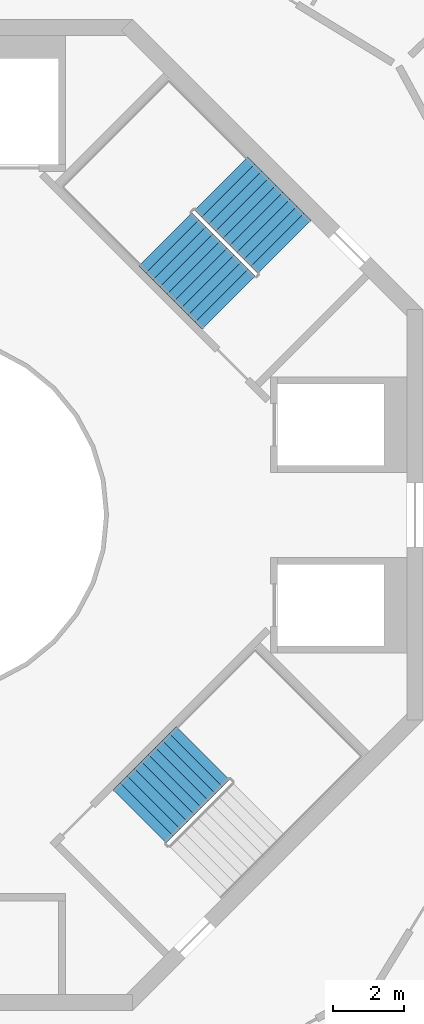
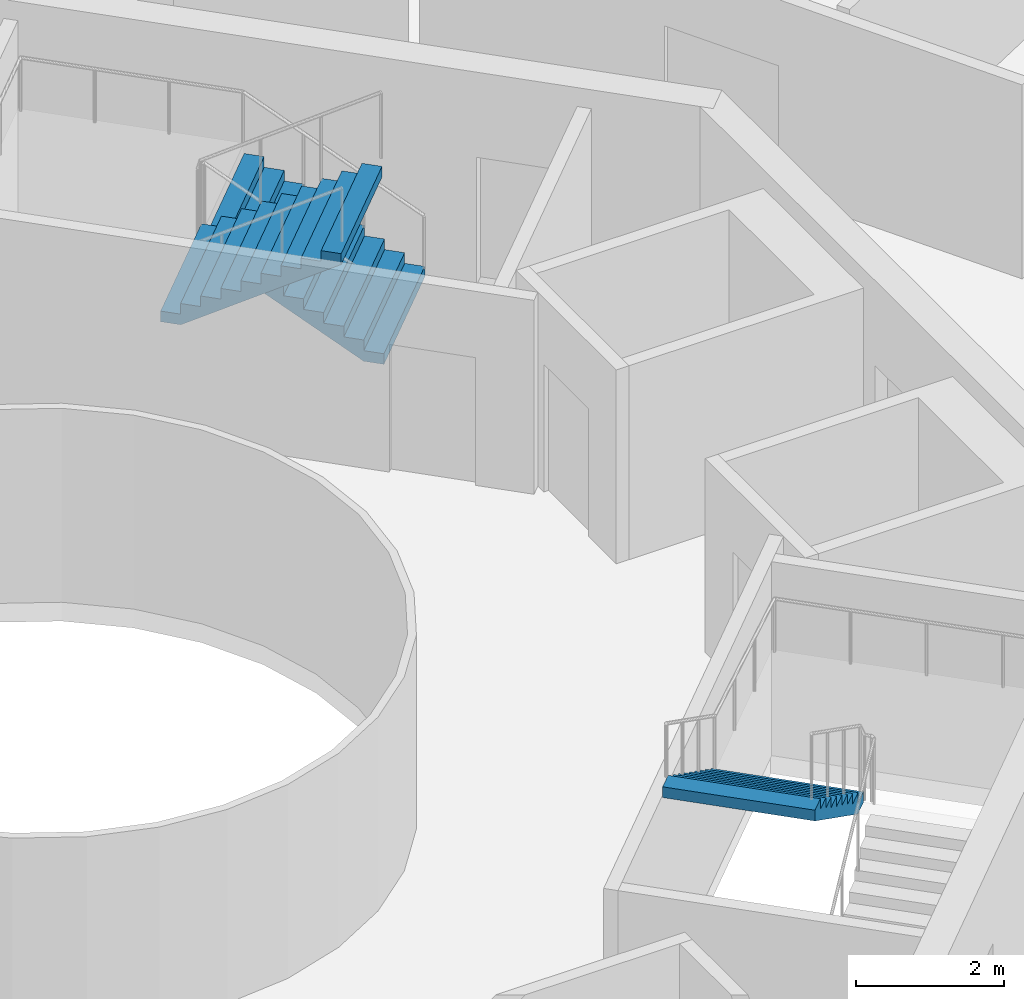
# One storey, part 23 of 24: 3 stair flights, 2 elements without a shape of their own.
"""IFC4 building model written with IfcOpenShell, lengths in metres."""

from ifc_helpers import new_model, si_unit, direction, frame, origin, place, context, subcontext, project, spatial, triangles, material, type_object, element, aggregate, save


model = new_model("IFC4")

# Units and contexts
model_context = context("Model", 3, precision=1e-05, world=origin(), true_north=direction((0.0, 1.0)))
body_context = subcontext(model_context, "Body", "Model", "MODEL_VIEW")
ifc_project = project(units=[si_unit("LENGTHUNIT", "METRE"), si_unit("AREAUNIT", "SQUARE_METRE"), si_unit("VOLUMEUNIT", "CUBIC_METRE"), si_unit("PLANEANGLEUNIT", "RADIAN"), si_unit("MASSUNIT", "GRAM", prefix="KILO")], contexts=[model_context])

# Site, building, storey
site_placement = place(None, origin())
site = spatial("IfcSite", under=ifc_project, at=site_placement, CompositionType="ELEMENT")
building_placement = place(site_placement, origin())
building = spatial("IfcBuilding", under=site, at=building_placement, Name="Verdalira Terraces Hotel", CompositionType="ELEMENT")
storey_placement = place(building_placement, frame((0.0, 0.0, 274.0)))
storey = spatial("IfcBuildingStorey", under=building, at=storey_placement, Name="L67", CompositionType="ELEMENT", Elevation=274.0)

# Stair, stair flights
ifc_material_1 = material(Name="Concrete C40", Category="concrete")
stair_type = type_object("IfcStairType", Name="Core stair 20 risers 2125 mm wide", PredefinedType="HALF_TURN_STAIR", material=ifc_material_1)
stair_1_placement = place(storey_placement, origin())
stair_1 = element("IfcStair", 1, at=stair_1_placement, inside=storey, type_object=stair_type, Name="L67 Exit stair ST1", PredefinedType="HALF_TURN_STAIR")
ifc_material_2 = material(Name="Concrete C40", Category="concrete")
stair_flight_type = type_object("IfcStairFlightType", Name="Core stair flight 20 risers 2125 mm wide", PredefinedType="STRAIGHT", material=ifc_material_2)
stair_flight_1_placement = place(storey_placement, frame((10.085205, 7.574951, 0.0), z_axis=(0.0, 0.0, 1.0), x_axis=(-0.707106781, 0.707106781, 0.0)))
stair_flight_1 = element("IfcStairFlight", 2, at=stair_flight_1_placement, type_object=stair_flight_type, Name="ST1 flight 1", NumberOfRisers=10, NumberOfTreads=9, PredefinedType="STRAIGHT", RiserHeight=0.175, TreadLength=0.28, context=body_context, shape_type="Tessellation", body=[
    triangles([(0.0, 1.0625, 0.0), (0.282715, 1.0625, 0.0), (2.52002, 1.0625, 1.398193), (0.0, -1.0625, 0.0), (0.282715, -1.0625, 0.0), (2.52002, -1.0625, 1.398193), (2.52002, 1.0625, 1.574951), (2.23999, 1.0625, 1.574951), (2.52002, -1.0625, 1.574951), (2.23999, -1.0625, 1.574951), (2.23999, 1.0625, 1.399902), (2.23999, -1.0625, 1.399902), (1.959961, 1.0625, 1.399902), (1.959961, -1.0625, 1.399902), (1.959961, 1.0625, 1.225098), (1.959961, -1.0625, 1.225098), (1.679932, 1.0625, 1.225098), (1.679932, 1.0625, 1.050049), (1.679932, -1.0625, 1.225098), (1.679932, -1.0625, 1.050049), (1.399902, 1.0625, 1.050049), (1.399902, 1.0625, 0.875), (1.399902, -1.0625, 1.050049), (1.399902, -1.0625, 0.875), (1.120117, 1.0625, 0.875), (1.120117, 1.0625, 0.699951), (1.120117, -1.0625, 0.875), (1.120117, -1.0625, 0.699951), (0.840088, 1.0625, 0.699951), (0.840088, 1.0625, 0.524902), (0.840088, -1.0625, 0.699951), (0.840088, -1.0625, 0.524902), (0.560059, 1.0625, 0.524902), (0.560059, 1.0625, 0.350098), (0.560059, -1.0625, 0.524902), (0.560059, -1.0625, 0.350098), (0.280029, 1.0625, 0.350098), (0.280029, 1.0625, 0.175049), (0.280029, -1.0625, 0.350098), (0.280029, -1.0625, 0.175049), (0.0, 1.0625, 0.175049), (0.0, -1.0625, 0.175049), (0.0, -0.996094, 0.0), (0.0, -0.996094, 0.175049), (0.0, -0.929688, 0.0), (0.0, -0.929688, 0.175049), (0.0, -0.863281, 0.0), (0.0, -0.863281, 0.175049), (0.0, -0.796875, 0.0), (0.0, -0.796875, 0.175049), (0.0, -0.730469, 0.0), (0.0, -0.730469, 0.175049), (0.0, -0.664062, 0.0), (0.0, -0.664062, 0.175049), (0.0, -0.597656, 0.0), (0.0, -0.597656, 0.175049), (0.0, -0.53125, 0.0), (0.0, -0.53125, 0.175049), (0.0, -0.464844, 0.0), (0.0, -0.464844, 0.175049), (0.0, -0.398438, 0.0), (0.0, -0.398438, 0.175049), (0.0, -0.332031, 0.0), (0.0, -0.332031, 0.175049), (0.0, -0.265625, 0.0), (0.0, -0.265625, 0.175049), (0.0, -0.199219, 0.0), (0.0, -0.199219, 0.175049), (0.0, -0.132812, 0.0), (0.0, -0.132812, 0.175049), (0.0, -0.066406, 0.0), (0.0, -0.066406, 0.175049), (0.0, 0.0, 0.0), (0.0, 0.0, 0.175049), (0.0, 0.066406, 0.0), (0.0, 0.066406, 0.175049), (0.0, 0.132812, 0.0), (0.0, 0.132812, 0.175049), (0.0, 0.199219, 0.0), (0.0, 0.199219, 0.175049), (0.0, 0.265625, 0.0), (0.0, 0.265625, 0.175049), (0.0, 0.332031, 0.0), (0.0, 0.332031, 0.175049), (0.0, 0.398438, 0.0), (0.0, 0.398438, 0.175049), (0.0, 0.464844, 0.0), (0.0, 0.464844, 0.175049), (0.0, 0.53125, 0.0), (0.0, 0.53125, 0.175049), (0.0, 0.597656, 0.0), (0.0, 0.597656, 0.175049), (0.0, 0.664062, 0.0), (0.0, 0.664062, 0.175049), (0.0, 0.730469, 0.0), (0.0, 0.730469, 0.175049), (0.0, 0.796875, 0.0), (0.0, 0.796875, 0.175049), (0.0, 0.863281, 0.0), (0.0, 0.863281, 0.175049), (0.0, 0.929688, 0.0), (0.0, 0.929688, 0.175049), (0.0, 0.996094, 0.0), (0.0, 0.996094, 0.175049), (2.52002, -0.996094, 1.574951), (2.52002, -0.929688, 1.574951), (2.52002, -0.863281, 1.574951), (2.52002, -0.796875, 1.574951), (2.52002, -0.730469, 1.574951), (2.52002, -0.664062, 1.574951), (2.52002, -0.597656, 1.574951), (2.52002, -0.53125, 1.574951), (2.52002, -0.464844, 1.574951), (2.52002, -0.398438, 1.574951), (2.52002, -0.332031, 1.574951), (2.52002, -0.265625, 1.574951), (2.52002, -0.199219, 1.574951), (2.52002, -0.132812, 1.574951), (2.52002, -0.066406, 1.574951), (2.52002, 0.0, 1.574951), (2.52002, 0.066406, 1.574951), (2.52002, 0.132812, 1.574951), (2.52002, 0.199219, 1.574951), (2.52002, 0.265625, 1.574951), (2.52002, 0.332031, 1.574951), (2.52002, 0.398438, 1.574951), (2.52002, 0.464844, 1.574951), (2.52002, 0.53125, 1.574951), (2.52002, 0.597656, 1.574951), (2.52002, 0.664062, 1.574951), (2.52002, 0.730469, 1.574951), (2.52002, 0.796875, 1.574951), (2.52002, 0.863281, 1.574951), (2.52002, 0.929688, 1.574951), (2.52002, 0.996094, 1.574951), (2.52002, -0.996094, 1.398193), (2.52002, -0.929688, 1.398193), (2.52002, -0.863281, 1.398193), (2.52002, -0.796875, 1.398193), (2.52002, -0.730469, 1.398193), (2.52002, -0.664062, 1.398193), (2.52002, -0.597656, 1.398193), (2.52002, -0.53125, 1.398193), (2.52002, -0.464844, 1.398193), (2.52002, -0.398438, 1.398193), (2.52002, -0.332031, 1.398193), (2.52002, -0.265625, 1.398193), (2.52002, -0.199219, 1.398193), (2.52002, -0.132812, 1.398193), (2.52002, -0.066406, 1.398193), (2.52002, 0.0, 1.398193), (2.52002, 0.066406, 1.398193), (2.52002, 0.132812, 1.398193), (2.52002, 0.199219, 1.398193), (2.52002, 0.265625, 1.398193), (2.52002, 0.332031, 1.398193), (2.52002, 0.398438, 1.398193), (2.52002, 0.464844, 1.398193), (2.52002, 0.53125, 1.398193), (2.52002, 0.597656, 1.398193), (2.52002, 0.664062, 1.398193), (2.52002, 0.730469, 1.398193), (2.52002, 0.796875, 1.398193), (2.52002, 0.863281, 1.398193), (2.52002, 0.929688, 1.398193), (2.52002, 0.996094, 1.398193)], [[1, 3, 2], [4, 5, 6], [3, 8, 7], [6, 9, 10], [3, 11, 8], [6, 10, 12], [3, 13, 11], [6, 12, 14], [3, 15, 13], [6, 14, 16], [15, 18, 17], [16, 19, 20], [3, 18, 15], [6, 16, 20], [18, 22, 21], [20, 23, 24], [3, 22, 18], [6, 20, 24], [22, 26, 25], [24, 27, 28], [3, 26, 22], [6, 24, 28], [26, 30, 29], [28, 31, 32], [3, 30, 26], [6, 28, 32], [1, 30, 3], [4, 6, 32], [30, 34, 33], [32, 35, 36], [34, 38, 37], [36, 39, 40], [30, 38, 34], [32, 36, 40], [1, 38, 30], [4, 32, 40], [38, 1, 41], [40, 42, 4], [4, 44, 43], [4, 42, 44], [43, 46, 45], [43, 44, 46], [45, 48, 47], [45, 46, 48], [47, 50, 49], [47, 48, 50], [49, 52, 51], [49, 50, 52], [51, 54, 53], [51, 52, 54], [53, 56, 55], [53, 54, 56], [55, 58, 57], [55, 56, 58], [57, 60, 59], [57, 58, 60], [59, 62, 61], [59, 60, 62], [61, 64, 63], [61, 62, 64], [63, 66, 65], [63, 64, 66], [65, 68, 67], [65, 66, 68], [67, 70, 69], [67, 68, 70], [69, 72, 71], [69, 70, 72], [71, 74, 73], [71, 72, 74], [73, 76, 75], [73, 74, 76], [75, 78, 77], [75, 76, 78], [77, 80, 79], [77, 78, 80], [79, 82, 81], [79, 80, 82], [81, 84, 83], [81, 82, 84], [83, 86, 85], [83, 84, 86], [85, 88, 87], [85, 86, 88], [87, 90, 89], [87, 88, 90], [89, 92, 91], [89, 90, 92], [91, 94, 93], [91, 92, 94], [93, 96, 95], [93, 94, 96], [95, 98, 97], [95, 96, 98], [97, 100, 99], [97, 98, 100], [99, 102, 101], [99, 100, 102], [101, 104, 103], [101, 102, 104], [103, 41, 1], [103, 104, 41], [42, 40, 44], [44, 40, 46], [46, 40, 48], [48, 40, 50], [50, 40, 52], [52, 40, 54], [54, 40, 56], [56, 40, 58], [58, 40, 60], [60, 40, 62], [62, 40, 64], [64, 40, 66], [66, 40, 68], [68, 40, 70], [70, 40, 72], [72, 40, 74], [74, 40, 76], [76, 40, 78], [78, 40, 80], [80, 40, 82], [82, 40, 84], [84, 40, 86], [86, 40, 88], [88, 40, 90], [90, 40, 92], [92, 40, 94], [94, 40, 96], [96, 40, 98], [98, 40, 100], [100, 40, 102], [102, 40, 104], [104, 40, 41], [41, 40, 38], [40, 37, 38], [40, 39, 37], [39, 34, 37], [39, 36, 34], [36, 33, 34], [36, 35, 33], [35, 30, 33], [35, 32, 30], [32, 29, 30], [32, 31, 29], [31, 26, 29], [31, 28, 26], [28, 25, 26], [28, 27, 25], [27, 22, 25], [27, 24, 22], [24, 21, 22], [24, 23, 21], [23, 18, 21], [23, 20, 18], [20, 17, 18], [20, 19, 17], [19, 15, 17], [19, 16, 15], [16, 13, 15], [16, 14, 13], [14, 11, 13], [14, 12, 11], [12, 8, 11], [12, 10, 8], [9, 105, 10], [105, 106, 10], [106, 107, 10], [107, 108, 10], [108, 109, 10], [109, 110, 10], [110, 111, 10], [111, 112, 10], [112, 113, 10], [113, 114, 10], [114, 115, 10], [115, 116, 10], [116, 117, 10], [117, 118, 10], [118, 119, 10], [119, 120, 10], [120, 121, 10], [121, 122, 10], [122, 123, 10], [123, 124, 10], [124, 125, 10], [125, 126, 10], [126, 127, 10], [127, 128, 10], [128, 129, 10], [129, 130, 10], [130, 131, 10], [131, 132, 10], [132, 133, 10], [133, 134, 10], [134, 135, 10], [135, 7, 10], [7, 8, 10], [9, 136, 105], [9, 6, 136], [105, 137, 106], [105, 136, 137], [106, 138, 107], [106, 137, 138], [107, 139, 108], [107, 138, 139], [108, 140, 109], [108, 139, 140], [109, 141, 110], [109, 140, 141], [110, 142, 111], [110, 141, 142], [111, 143, 112], [111, 142, 143], [112, 144, 113], [112, 143, 144], [113, 145, 114], [113, 144, 145], [114, 146, 115], [114, 145, 146], [115, 147, 116], [115, 146, 147], [116, 148, 117], [116, 147, 148], [117, 149, 118], [117, 148, 149], [118, 150, 119], [118, 149, 150], [119, 151, 120], [119, 150, 151], [120, 152, 121], [120, 151, 152], [121, 153, 122], [121, 152, 153], [122, 154, 123], [122, 153, 154], [123, 155, 124], [123, 154, 155], [124, 156, 125], [124, 155, 156], [125, 157, 126], [125, 156, 157], [126, 158, 127], [126, 157, 158], [127, 159, 128], [127, 158, 159], [128, 160, 129], [128, 159, 160], [129, 161, 130], [129, 160, 161], [130, 162, 131], [130, 161, 162], [131, 163, 132], [131, 162, 163], [132, 164, 133], [132, 163, 164], [133, 165, 134], [133, 164, 165], [134, 166, 135], [134, 165, 166], [135, 3, 7], [135, 166, 3], [6, 5, 136], [136, 5, 137], [137, 5, 138], [138, 5, 139], [139, 5, 140], [140, 5, 141], [141, 5, 142], [142, 5, 143], [143, 5, 144], [144, 5, 145], [145, 5, 146], [146, 5, 147], [147, 5, 148], [148, 5, 149], [149, 5, 150], [150, 5, 151], [151, 5, 152], [152, 5, 153], [153, 5, 154], [154, 5, 155], [155, 5, 156], [156, 5, 157], [157, 5, 158], [158, 5, 159], [159, 5, 160], [160, 5, 161], [161, 5, 162], [162, 5, 163], [163, 5, 164], [164, 5, 165], [165, 5, 166], [166, 5, 3], [3, 5, 2], [4, 43, 5], [43, 45, 5], [45, 47, 5], [47, 49, 5], [49, 51, 5], [51, 53, 5], [53, 55, 5], [55, 57, 5], [57, 59, 5], [59, 61, 5], [61, 63, 5], [63, 65, 5], [65, 67, 5], [67, 69, 5], [69, 71, 5], [71, 73, 5], [73, 75, 5], [75, 77, 5], [77, 79, 5], [79, 81, 5], [81, 83, 5], [83, 85, 5], [85, 87, 5], [87, 89, 5], [89, 91, 5], [91, 93, 5], [93, 95, 5], [95, 97, 5], [97, 99, 5], [99, 101, 5], [101, 103, 5], [103, 1, 5], [1, 2, 5]], closed=True),
])
stair_flight_2_placement = place(storey_placement, frame((6.72998, 7.783447, 1.75), z_axis=(0.0, 0.0, 1.0), x_axis=(0.707106781, -0.707106781, 0.0)))
stair_flight_2 = element("IfcStairFlight", 3, at=stair_flight_2_placement, type_object=stair_flight_type, Name="ST1 flight 2", NumberOfRisers=10, NumberOfTreads=9, PredefinedType="STRAIGHT", RiserHeight=0.175, TreadLength=0.28, context=body_context, shape_type="Tessellation", body=[
    triangles([(0.0, 1.0625, 0.0), (0.282715, 1.0625, 0.0), (2.52002, 1.0625, 1.398193), (0.0, -1.0625, 0.0), (0.282715, -1.0625, 0.0), (2.52002, -1.0625, 1.398193), (2.52002, 1.0625, 1.574951), (2.23999, 1.0625, 1.574951), (2.52002, -1.0625, 1.574951), (2.23999, -1.0625, 1.574951), (2.23999, 1.0625, 1.399902), (2.23999, -1.0625, 1.399902), (1.959961, 1.0625, 1.399902), (1.959961, -1.0625, 1.399902), (1.959961, 1.0625, 1.225098), (1.959961, -1.0625, 1.225098), (1.679932, 1.0625, 1.225098), (1.679932, 1.0625, 1.050049), (1.679932, -1.0625, 1.225098), (1.679932, -1.0625, 1.050049), (1.399902, 1.0625, 1.050049), (1.399902, 1.0625, 0.875), (1.399902, -1.0625, 1.050049), (1.399902, -1.0625, 0.875), (1.120117, 1.0625, 0.875), (1.120117, 1.0625, 0.699951), (1.120117, -1.0625, 0.875), (1.120117, -1.0625, 0.699951), (0.840088, 1.0625, 0.699951), (0.840088, 1.0625, 0.524902), (0.840088, -1.0625, 0.699951), (0.840088, -1.0625, 0.524902), (0.560059, 1.0625, 0.524902), (0.560059, 1.0625, 0.350098), (0.560059, -1.0625, 0.524902), (0.560059, -1.0625, 0.350098), (0.280029, 1.0625, 0.350098), (0.280029, 1.0625, 0.175049), (0.280029, -1.0625, 0.350098), (0.280029, -1.0625, 0.175049), (0.0, 1.0625, 0.175049), (0.0, -1.0625, 0.175049), (0.0, -0.996094, 0.0), (0.0, -0.996094, 0.175049), (0.0, -0.929688, 0.0), (0.0, -0.929688, 0.175049), (0.0, -0.863281, 0.0), (0.0, -0.863281, 0.175049), (0.0, -0.796875, 0.0), (0.0, -0.796875, 0.175049), (0.0, -0.730469, 0.0), (0.0, -0.730469, 0.175049), (0.0, -0.664062, 0.0), (0.0, -0.664062, 0.175049), (0.0, -0.597656, 0.0), (0.0, -0.597656, 0.175049), (0.0, -0.53125, 0.0), (0.0, -0.53125, 0.175049), (0.0, -0.464844, 0.0), (0.0, -0.464844, 0.175049), (0.0, -0.398438, 0.0), (0.0, -0.398438, 0.175049), (0.0, -0.332031, 0.0), (0.0, -0.332031, 0.175049), (0.0, -0.265625, 0.0), (0.0, -0.265625, 0.175049), (0.0, -0.199219, 0.0), (0.0, -0.199219, 0.175049), (0.0, -0.132812, 0.0), (0.0, -0.132812, 0.175049), (0.0, -0.066406, 0.0), (0.0, -0.066406, 0.175049), (0.0, 0.0, 0.0), (0.0, 0.0, 0.175049), (0.0, 0.066406, 0.0), (0.0, 0.066406, 0.175049), (0.0, 0.132812, 0.0), (0.0, 0.132812, 0.175049), (0.0, 0.199219, 0.0), (0.0, 0.199219, 0.175049), (0.0, 0.265625, 0.0), (0.0, 0.265625, 0.175049), (0.0, 0.332031, 0.0), (0.0, 0.332031, 0.175049), (0.0, 0.398438, 0.0), (0.0, 0.398438, 0.175049), (0.0, 0.464844, 0.0), (0.0, 0.464844, 0.175049), (0.0, 0.53125, 0.0), (0.0, 0.53125, 0.175049), (0.0, 0.597656, 0.0), (0.0, 0.597656, 0.175049), (0.0, 0.664062, 0.0), (0.0, 0.664062, 0.175049), (0.0, 0.730469, 0.0), (0.0, 0.730469, 0.175049), (0.0, 0.796875, 0.0), (0.0, 0.796875, 0.175049), (0.0, 0.863281, 0.0), (0.0, 0.863281, 0.175049), (0.0, 0.929688, 0.0), (0.0, 0.929688, 0.175049), (0.0, 0.996094, 0.0), (0.0, 0.996094, 0.175049), (2.52002, -0.996094, 1.574951), (2.52002, -0.929688, 1.574951), (2.52002, -0.863281, 1.574951), (2.52002, -0.796875, 1.574951), (2.52002, -0.730469, 1.574951), (2.52002, -0.664062, 1.574951), (2.52002, -0.597656, 1.574951), (2.52002, -0.53125, 1.574951), (2.52002, -0.464844, 1.574951), (2.52002, -0.398438, 1.574951), (2.52002, -0.332031, 1.574951), (2.52002, -0.265625, 1.574951), (2.52002, -0.199219, 1.574951), (2.52002, -0.132812, 1.574951), (2.52002, -0.066406, 1.574951), (2.52002, 0.0, 1.574951), (2.52002, 0.066406, 1.574951), (2.52002, 0.132812, 1.574951), (2.52002, 0.199219, 1.574951), (2.52002, 0.265625, 1.574951), (2.52002, 0.332031, 1.574951), (2.52002, 0.398438, 1.574951), (2.52002, 0.464844, 1.574951), (2.52002, 0.53125, 1.574951), (2.52002, 0.597656, 1.574951), (2.52002, 0.664062, 1.574951), (2.52002, 0.730469, 1.574951), (2.52002, 0.796875, 1.574951), (2.52002, 0.863281, 1.574951), (2.52002, 0.929688, 1.574951), (2.52002, 0.996094, 1.574951), (2.52002, -0.996094, 1.398193), (2.52002, -0.929688, 1.398193), (2.52002, -0.863281, 1.398193), (2.52002, -0.796875, 1.398193), (2.52002, -0.730469, 1.398193), (2.52002, -0.664062, 1.398193), (2.52002, -0.597656, 1.398193), (2.52002, -0.53125, 1.398193), (2.52002, -0.464844, 1.398193), (2.52002, -0.398438, 1.398193), (2.52002, -0.332031, 1.398193), (2.52002, -0.265625, 1.398193), (2.52002, -0.199219, 1.398193), (2.52002, -0.132812, 1.398193), (2.52002, -0.066406, 1.398193), (2.52002, 0.0, 1.398193), (2.52002, 0.066406, 1.398193), (2.52002, 0.132812, 1.398193), (2.52002, 0.199219, 1.398193), (2.52002, 0.265625, 1.398193), (2.52002, 0.332031, 1.398193), (2.52002, 0.398438, 1.398193), (2.52002, 0.464844, 1.398193), (2.52002, 0.53125, 1.398193), (2.52002, 0.597656, 1.398193), (2.52002, 0.664062, 1.398193), (2.52002, 0.730469, 1.398193), (2.52002, 0.796875, 1.398193), (2.52002, 0.863281, 1.398193), (2.52002, 0.929688, 1.398193), (2.52002, 0.996094, 1.398193)], [[1, 3, 2], [4, 5, 6], [3, 8, 7], [6, 9, 10], [3, 11, 8], [6, 10, 12], [3, 13, 11], [6, 12, 14], [3, 15, 13], [6, 14, 16], [15, 18, 17], [16, 19, 20], [3, 18, 15], [6, 16, 20], [18, 22, 21], [20, 23, 24], [3, 22, 18], [6, 20, 24], [22, 26, 25], [24, 27, 28], [3, 26, 22], [6, 24, 28], [26, 30, 29], [28, 31, 32], [3, 30, 26], [6, 28, 32], [1, 30, 3], [4, 6, 32], [30, 34, 33], [32, 35, 36], [34, 38, 37], [36, 39, 40], [30, 38, 34], [32, 36, 40], [1, 38, 30], [4, 32, 40], [38, 1, 41], [40, 42, 4], [4, 44, 43], [4, 42, 44], [43, 46, 45], [43, 44, 46], [45, 48, 47], [45, 46, 48], [47, 50, 49], [47, 48, 50], [49, 52, 51], [49, 50, 52], [51, 54, 53], [51, 52, 54], [53, 56, 55], [53, 54, 56], [55, 58, 57], [55, 56, 58], [57, 60, 59], [57, 58, 60], [59, 62, 61], [59, 60, 62], [61, 64, 63], [61, 62, 64], [63, 66, 65], [63, 64, 66], [65, 68, 67], [65, 66, 68], [67, 70, 69], [67, 68, 70], [69, 72, 71], [69, 70, 72], [71, 74, 73], [71, 72, 74], [73, 76, 75], [73, 74, 76], [75, 78, 77], [75, 76, 78], [77, 80, 79], [77, 78, 80], [79, 82, 81], [79, 80, 82], [81, 84, 83], [81, 82, 84], [83, 86, 85], [83, 84, 86], [85, 88, 87], [85, 86, 88], [87, 90, 89], [87, 88, 90], [89, 92, 91], [89, 90, 92], [91, 94, 93], [91, 92, 94], [93, 96, 95], [93, 94, 96], [95, 98, 97], [95, 96, 98], [97, 100, 99], [97, 98, 100], [99, 102, 101], [99, 100, 102], [101, 104, 103], [101, 102, 104], [103, 41, 1], [103, 104, 41], [42, 40, 44], [44, 40, 46], [46, 40, 48], [48, 40, 50], [50, 40, 52], [52, 40, 54], [54, 40, 56], [56, 40, 58], [58, 40, 60], [60, 40, 62], [62, 40, 64], [64, 40, 66], [66, 40, 68], [68, 40, 70], [70, 40, 72], [72, 40, 74], [74, 40, 76], [76, 40, 78], [78, 40, 80], [80, 40, 82], [82, 40, 84], [84, 40, 86], [86, 40, 88], [88, 40, 90], [90, 40, 92], [92, 40, 94], [94, 40, 96], [96, 40, 98], [98, 40, 100], [100, 40, 102], [102, 40, 104], [104, 40, 41], [41, 40, 38], [40, 37, 38], [40, 39, 37], [39, 34, 37], [39, 36, 34], [36, 33, 34], [36, 35, 33], [35, 30, 33], [35, 32, 30], [32, 29, 30], [32, 31, 29], [31, 26, 29], [31, 28, 26], [28, 25, 26], [28, 27, 25], [27, 22, 25], [27, 24, 22], [24, 21, 22], [24, 23, 21], [23, 18, 21], [23, 20, 18], [20, 17, 18], [20, 19, 17], [19, 15, 17], [19, 16, 15], [16, 13, 15], [16, 14, 13], [14, 11, 13], [14, 12, 11], [12, 8, 11], [12, 10, 8], [9, 105, 10], [105, 106, 10], [106, 107, 10], [107, 108, 10], [108, 109, 10], [109, 110, 10], [110, 111, 10], [111, 112, 10], [112, 113, 10], [113, 114, 10], [114, 115, 10], [115, 116, 10], [116, 117, 10], [117, 118, 10], [118, 119, 10], [119, 120, 10], [120, 121, 10], [121, 122, 10], [122, 123, 10], [123, 124, 10], [124, 125, 10], [125, 126, 10], [126, 127, 10], [127, 128, 10], [128, 129, 10], [129, 130, 10], [130, 131, 10], [131, 132, 10], [132, 133, 10], [133, 134, 10], [134, 135, 10], [135, 7, 10], [7, 8, 10], [9, 136, 105], [9, 6, 136], [105, 137, 106], [105, 136, 137], [106, 138, 107], [106, 137, 138], [107, 139, 108], [107, 138, 139], [108, 140, 109], [108, 139, 140], [109, 141, 110], [109, 140, 141], [110, 142, 111], [110, 141, 142], [111, 143, 112], [111, 142, 143], [112, 144, 113], [112, 143, 144], [113, 145, 114], [113, 144, 145], [114, 146, 115], [114, 145, 146], [115, 147, 116], [115, 146, 147], [116, 148, 117], [116, 147, 148], [117, 149, 118], [117, 148, 149], [118, 150, 119], [118, 149, 150], [119, 151, 120], [119, 150, 151], [120, 152, 121], [120, 151, 152], [121, 153, 122], [121, 152, 153], [122, 154, 123], [122, 153, 154], [123, 155, 124], [123, 154, 155], [124, 156, 125], [124, 155, 156], [125, 157, 126], [125, 156, 157], [126, 158, 127], [126, 157, 158], [127, 159, 128], [127, 158, 159], [128, 160, 129], [128, 159, 160], [129, 161, 130], [129, 160, 161], [130, 162, 131], [130, 161, 162], [131, 163, 132], [131, 162, 163], [132, 164, 133], [132, 163, 164], [133, 165, 134], [133, 164, 165], [134, 166, 135], [134, 165, 166], [135, 3, 7], [135, 166, 3], [6, 5, 136], [136, 5, 137], [137, 5, 138], [138, 5, 139], [139, 5, 140], [140, 5, 141], [141, 5, 142], [142, 5, 143], [143, 5, 144], [144, 5, 145], [145, 5, 146], [146, 5, 147], [147, 5, 148], [148, 5, 149], [149, 5, 150], [150, 5, 151], [151, 5, 152], [152, 5, 153], [153, 5, 154], [154, 5, 155], [155, 5, 156], [156, 5, 157], [157, 5, 158], [158, 5, 159], [159, 5, 160], [160, 5, 161], [161, 5, 162], [162, 5, 163], [163, 5, 164], [164, 5, 165], [165, 5, 166], [166, 5, 3], [3, 5, 2], [4, 43, 5], [43, 45, 5], [45, 47, 5], [47, 49, 5], [49, 51, 5], [51, 53, 5], [53, 55, 5], [55, 57, 5], [57, 59, 5], [59, 61, 5], [61, 63, 5], [63, 65, 5], [65, 67, 5], [67, 69, 5], [69, 71, 5], [71, 73, 5], [73, 75, 5], [75, 77, 5], [77, 79, 5], [79, 81, 5], [81, 83, 5], [83, 85, 5], [85, 87, 5], [87, 89, 5], [89, 91, 5], [91, 93, 5], [93, 95, 5], [95, 97, 5], [97, 99, 5], [99, 101, 5], [101, 103, 5], [103, 1, 5], [1, 2, 5]], closed=True),
])
aggregate(stair_1, [stair_flight_1, stair_flight_2])

# Stair, stair flight
stair_2_placement = place(storey_placement, origin())
stair_2 = element("IfcStair", 4, at=stair_2_placement, inside=storey, type_object=stair_type, Name="L67 Exit stair ST3", PredefinedType="HALF_TURN_STAIR")
stair_flight_3_placement = place(storey_placement, frame((7.783447, -6.72998, 1.75), z_axis=(0.0, 0.0, 1.0), x_axis=(-0.707106781, -0.707106781, 0.0)))
stair_flight_3 = element("IfcStairFlight", 5, at=stair_flight_3_placement, type_object=stair_flight_type, Name="ST3 flight 2", NumberOfRisers=10, NumberOfTreads=9, PredefinedType="STRAIGHT", RiserHeight=0.175, TreadLength=0.28, context=body_context, shape_type="Tessellation", body=[
    triangles([(0.0, 1.0625, 0.0), (0.282715, 1.0625, 0.0), (2.52002, 1.0625, 1.398193), (0.0, -1.0625, 0.0), (0.282715, -1.0625, 0.0), (2.52002, -1.0625, 1.398193), (2.52002, 1.0625, 1.574951), (2.23999, 1.0625, 1.574951), (2.52002, -1.0625, 1.574951), (2.23999, -1.0625, 1.574951), (2.23999, 1.0625, 1.399902), (2.23999, -1.0625, 1.399902), (1.959961, 1.0625, 1.399902), (1.959961, -1.0625, 1.399902), (1.959961, 1.0625, 1.225098), (1.959961, -1.0625, 1.225098), (1.679932, 1.0625, 1.225098), (1.679932, 1.0625, 1.050049), (1.679932, -1.0625, 1.225098), (1.679932, -1.0625, 1.050049), (1.399902, 1.0625, 1.050049), (1.399902, 1.0625, 0.875), (1.399902, -1.0625, 1.050049), (1.399902, -1.0625, 0.875), (1.120117, 1.0625, 0.875), (1.120117, 1.0625, 0.699951), (1.120117, -1.0625, 0.875), (1.120117, -1.0625, 0.699951), (0.840088, 1.0625, 0.699951), (0.840088, 1.0625, 0.524902), (0.840088, -1.0625, 0.699951), (0.840088, -1.0625, 0.524902), (0.560059, 1.0625, 0.524902), (0.560059, 1.0625, 0.350098), (0.560059, -1.0625, 0.524902), (0.560059, -1.0625, 0.350098), (0.280029, 1.0625, 0.350098), (0.280029, 1.0625, 0.175049), (0.280029, -1.0625, 0.350098), (0.280029, -1.0625, 0.175049), (0.0, 1.0625, 0.175049), (0.0, -1.0625, 0.175049), (0.0, -0.996094, 0.0), (0.0, -0.996094, 0.175049), (0.0, -0.929688, 0.0), (0.0, -0.929688, 0.175049), (0.0, -0.863281, 0.0), (0.0, -0.863281, 0.175049), (0.0, -0.796875, 0.0), (0.0, -0.796875, 0.175049), (0.0, -0.730469, 0.0), (0.0, -0.730469, 0.175049), (0.0, -0.664062, 0.0), (0.0, -0.664062, 0.175049), (0.0, -0.597656, 0.0), (0.0, -0.597656, 0.175049), (0.0, -0.53125, 0.0), (0.0, -0.53125, 0.175049), (0.0, -0.464844, 0.0), (0.0, -0.464844, 0.175049), (0.0, -0.398438, 0.0), (0.0, -0.398438, 0.175049), (0.0, -0.332031, 0.0), (0.0, -0.332031, 0.175049), (0.0, -0.265625, 0.0), (0.0, -0.265625, 0.175049), (0.0, -0.199219, 0.0), (0.0, -0.199219, 0.175049), (0.0, -0.132812, 0.0), (0.0, -0.132812, 0.175049), (0.0, -0.066406, 0.0), (0.0, -0.066406, 0.175049), (0.0, 0.0, 0.0), (0.0, 0.0, 0.175049), (0.0, 0.066406, 0.0), (0.0, 0.066406, 0.175049), (0.0, 0.132812, 0.0), (0.0, 0.132812, 0.175049), (0.0, 0.199219, 0.0), (0.0, 0.199219, 0.175049), (0.0, 0.265625, 0.0), (0.0, 0.265625, 0.175049), (0.0, 0.332031, 0.0), (0.0, 0.332031, 0.175049), (0.0, 0.398438, 0.0), (0.0, 0.398438, 0.175049), (0.0, 0.464844, 0.0), (0.0, 0.464844, 0.175049), (0.0, 0.53125, 0.0), (0.0, 0.53125, 0.175049), (0.0, 0.597656, 0.0), (0.0, 0.597656, 0.175049), (0.0, 0.664062, 0.0), (0.0, 0.664062, 0.175049), (0.0, 0.730469, 0.0), (0.0, 0.730469, 0.175049), (0.0, 0.796875, 0.0), (0.0, 0.796875, 0.175049), (0.0, 0.863281, 0.0), (0.0, 0.863281, 0.175049), (0.0, 0.929688, 0.0), (0.0, 0.929688, 0.175049), (0.0, 0.996094, 0.0), (0.0, 0.996094, 0.175049), (2.52002, -0.996094, 1.574951), (2.52002, -0.929688, 1.574951), (2.52002, -0.863281, 1.574951), (2.52002, -0.796875, 1.574951), (2.52002, -0.730469, 1.574951), (2.52002, -0.664062, 1.574951), (2.52002, -0.597656, 1.574951), (2.52002, -0.53125, 1.574951), (2.52002, -0.464844, 1.574951), (2.52002, -0.398438, 1.574951), (2.52002, -0.332031, 1.574951), (2.52002, -0.265625, 1.574951), (2.52002, -0.199219, 1.574951), (2.52002, -0.132812, 1.574951), (2.52002, -0.066406, 1.574951), (2.52002, 0.0, 1.574951), (2.52002, 0.066406, 1.574951), (2.52002, 0.132812, 1.574951), (2.52002, 0.199219, 1.574951), (2.52002, 0.265625, 1.574951), (2.52002, 0.332031, 1.574951), (2.52002, 0.398438, 1.574951), (2.52002, 0.464844, 1.574951), (2.52002, 0.53125, 1.574951), (2.52002, 0.597656, 1.574951), (2.52002, 0.664062, 1.574951), (2.52002, 0.730469, 1.574951), (2.52002, 0.796875, 1.574951), (2.52002, 0.863281, 1.574951), (2.52002, 0.929688, 1.574951), (2.52002, 0.996094, 1.574951), (2.52002, -0.996094, 1.398193), (2.52002, -0.929688, 1.398193), (2.52002, -0.863281, 1.398193), (2.52002, -0.796875, 1.398193), (2.52002, -0.730469, 1.398193), (2.52002, -0.664062, 1.398193), (2.52002, -0.597656, 1.398193), (2.52002, -0.53125, 1.398193), (2.52002, -0.464844, 1.398193), (2.52002, -0.398438, 1.398193), (2.52002, -0.332031, 1.398193), (2.52002, -0.265625, 1.398193), (2.52002, -0.199219, 1.398193), (2.52002, -0.132812, 1.398193), (2.52002, -0.066406, 1.398193), (2.52002, 0.0, 1.398193), (2.52002, 0.066406, 1.398193), (2.52002, 0.132812, 1.398193), (2.52002, 0.199219, 1.398193), (2.52002, 0.265625, 1.398193), (2.52002, 0.332031, 1.398193), (2.52002, 0.398438, 1.398193), (2.52002, 0.464844, 1.398193), (2.52002, 0.53125, 1.398193), (2.52002, 0.597656, 1.398193), (2.52002, 0.664062, 1.398193), (2.52002, 0.730469, 1.398193), (2.52002, 0.796875, 1.398193), (2.52002, 0.863281, 1.398193), (2.52002, 0.929688, 1.398193), (2.52002, 0.996094, 1.398193)], [[1, 3, 2], [4, 5, 6], [3, 8, 7], [6, 9, 10], [3, 11, 8], [6, 10, 12], [3, 13, 11], [6, 12, 14], [3, 15, 13], [6, 14, 16], [15, 18, 17], [16, 19, 20], [3, 18, 15], [6, 16, 20], [18, 22, 21], [20, 23, 24], [3, 22, 18], [6, 20, 24], [22, 26, 25], [24, 27, 28], [3, 26, 22], [6, 24, 28], [26, 30, 29], [28, 31, 32], [3, 30, 26], [6, 28, 32], [1, 30, 3], [4, 6, 32], [30, 34, 33], [32, 35, 36], [34, 38, 37], [36, 39, 40], [30, 38, 34], [32, 36, 40], [1, 38, 30], [4, 32, 40], [38, 1, 41], [40, 42, 4], [4, 44, 43], [4, 42, 44], [43, 46, 45], [43, 44, 46], [45, 48, 47], [45, 46, 48], [47, 50, 49], [47, 48, 50], [49, 52, 51], [49, 50, 52], [51, 54, 53], [51, 52, 54], [53, 56, 55], [53, 54, 56], [55, 58, 57], [55, 56, 58], [57, 60, 59], [57, 58, 60], [59, 62, 61], [59, 60, 62], [61, 64, 63], [61, 62, 64], [63, 66, 65], [63, 64, 66], [65, 68, 67], [65, 66, 68], [67, 70, 69], [67, 68, 70], [69, 72, 71], [69, 70, 72], [71, 74, 73], [71, 72, 74], [73, 76, 75], [73, 74, 76], [75, 78, 77], [75, 76, 78], [77, 80, 79], [77, 78, 80], [79, 82, 81], [79, 80, 82], [81, 84, 83], [81, 82, 84], [83, 86, 85], [83, 84, 86], [85, 88, 87], [85, 86, 88], [87, 90, 89], [87, 88, 90], [89, 92, 91], [89, 90, 92], [91, 94, 93], [91, 92, 94], [93, 96, 95], [93, 94, 96], [95, 98, 97], [95, 96, 98], [97, 100, 99], [97, 98, 100], [99, 102, 101], [99, 100, 102], [101, 104, 103], [101, 102, 104], [103, 41, 1], [103, 104, 41], [42, 40, 44], [44, 40, 46], [46, 40, 48], [48, 40, 50], [50, 40, 52], [52, 40, 54], [54, 40, 56], [56, 40, 58], [58, 40, 60], [60, 40, 62], [62, 40, 64], [64, 40, 66], [66, 40, 68], [68, 40, 70], [70, 40, 72], [72, 40, 74], [74, 40, 76], [76, 40, 78], [78, 40, 80], [80, 40, 82], [82, 40, 84], [84, 40, 86], [86, 40, 88], [88, 40, 90], [90, 40, 92], [92, 40, 94], [94, 40, 96], [96, 40, 98], [98, 40, 100], [100, 40, 102], [102, 40, 104], [104, 40, 41], [41, 40, 38], [40, 37, 38], [40, 39, 37], [39, 34, 37], [39, 36, 34], [36, 33, 34], [36, 35, 33], [35, 30, 33], [35, 32, 30], [32, 29, 30], [32, 31, 29], [31, 26, 29], [31, 28, 26], [28, 25, 26], [28, 27, 25], [27, 22, 25], [27, 24, 22], [24, 21, 22], [24, 23, 21], [23, 18, 21], [23, 20, 18], [20, 17, 18], [20, 19, 17], [19, 15, 17], [19, 16, 15], [16, 13, 15], [16, 14, 13], [14, 11, 13], [14, 12, 11], [12, 8, 11], [12, 10, 8], [9, 105, 10], [105, 106, 10], [106, 107, 10], [107, 108, 10], [108, 109, 10], [109, 110, 10], [110, 111, 10], [111, 112, 10], [112, 113, 10], [113, 114, 10], [114, 115, 10], [115, 116, 10], [116, 117, 10], [117, 118, 10], [118, 119, 10], [119, 120, 10], [120, 121, 10], [121, 122, 10], [122, 123, 10], [123, 124, 10], [124, 125, 10], [125, 126, 10], [126, 127, 10], [127, 128, 10], [128, 129, 10], [129, 130, 10], [130, 131, 10], [131, 132, 10], [132, 133, 10], [133, 134, 10], [134, 135, 10], [135, 7, 10], [7, 8, 10], [9, 136, 105], [9, 6, 136], [105, 137, 106], [105, 136, 137], [106, 138, 107], [106, 137, 138], [107, 139, 108], [107, 138, 139], [108, 140, 109], [108, 139, 140], [109, 141, 110], [109, 140, 141], [110, 142, 111], [110, 141, 142], [111, 143, 112], [111, 142, 143], [112, 144, 113], [112, 143, 144], [113, 145, 114], [113, 144, 145], [114, 146, 115], [114, 145, 146], [115, 147, 116], [115, 146, 147], [116, 148, 117], [116, 147, 148], [117, 149, 118], [117, 148, 149], [118, 150, 119], [118, 149, 150], [119, 151, 120], [119, 150, 151], [120, 152, 121], [120, 151, 152], [121, 153, 122], [121, 152, 153], [122, 154, 123], [122, 153, 154], [123, 155, 124], [123, 154, 155], [124, 156, 125], [124, 155, 156], [125, 157, 126], [125, 156, 157], [126, 158, 127], [126, 157, 158], [127, 159, 128], [127, 158, 159], [128, 160, 129], [128, 159, 160], [129, 161, 130], [129, 160, 161], [130, 162, 131], [130, 161, 162], [131, 163, 132], [131, 162, 163], [132, 164, 133], [132, 163, 164], [133, 165, 134], [133, 164, 165], [134, 166, 135], [134, 165, 166], [135, 3, 7], [135, 166, 3], [6, 5, 136], [136, 5, 137], [137, 5, 138], [138, 5, 139], [139, 5, 140], [140, 5, 141], [141, 5, 142], [142, 5, 143], [143, 5, 144], [144, 5, 145], [145, 5, 146], [146, 5, 147], [147, 5, 148], [148, 5, 149], [149, 5, 150], [150, 5, 151], [151, 5, 152], [152, 5, 153], [153, 5, 154], [154, 5, 155], [155, 5, 156], [156, 5, 157], [157, 5, 158], [158, 5, 159], [159, 5, 160], [160, 5, 161], [161, 5, 162], [162, 5, 163], [163, 5, 164], [164, 5, 165], [165, 5, 166], [166, 5, 3], [3, 5, 2], [4, 43, 5], [43, 45, 5], [45, 47, 5], [47, 49, 5], [49, 51, 5], [51, 53, 5], [53, 55, 5], [55, 57, 5], [57, 59, 5], [59, 61, 5], [61, 63, 5], [63, 65, 5], [65, 67, 5], [67, 69, 5], [69, 71, 5], [71, 73, 5], [73, 75, 5], [75, 77, 5], [77, 79, 5], [79, 81, 5], [81, 83, 5], [83, 85, 5], [85, 87, 5], [87, 89, 5], [89, 91, 5], [91, 93, 5], [93, 95, 5], [95, 97, 5], [97, 99, 5], [99, 101, 5], [101, 103, 5], [103, 1, 5], [1, 2, 5]], closed=True),
])
aggregate(stair_2, [stair_flight_3])

save(model, "model.ifc")
